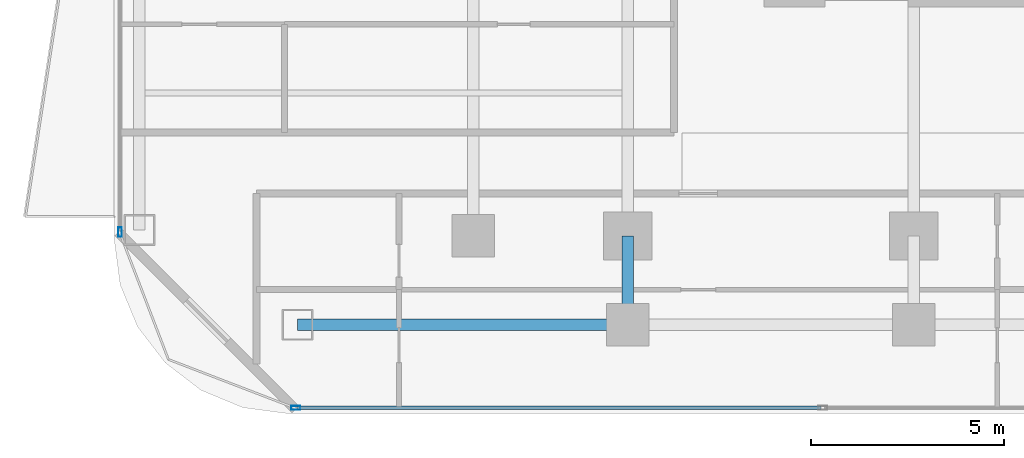
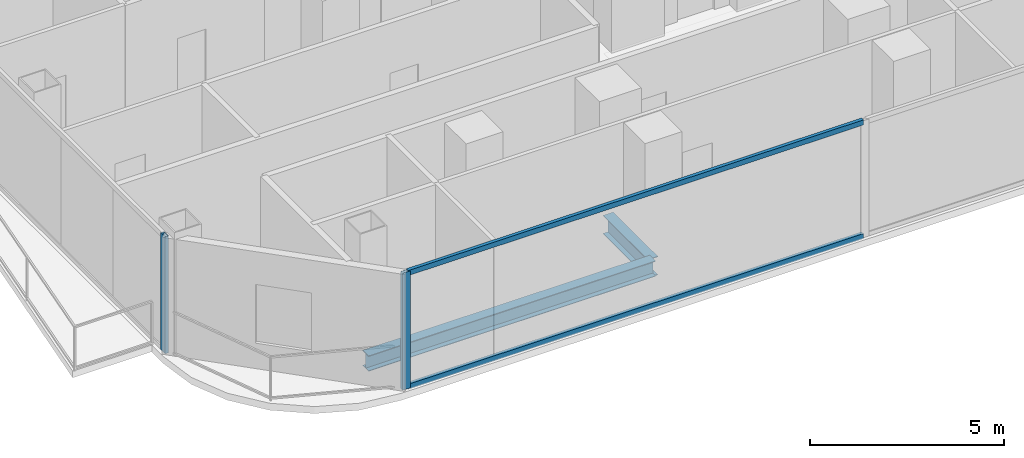
# One storey, part 2 of 27: 4 members, 2 beams, 2 elements without a shape of their own.
"""IFC4 building model written with IfcOpenShell, lengths in metres."""

from ifc_helpers import new_model, si_unit, direction, frame, origin, origin_2d, place, context, subcontext, project, spatial, hollow_rectangle, i_section, extrude, material, layer, layer_set, material_profile, profile_set, type_object, element, aggregate, save


model = new_model("IFC4")

# Units and contexts
model_context = context("Model", 3, precision=1e-05, world=origin(), true_north=direction((0.0, 1.0)))
body_context = subcontext(model_context, "Body", "Model", "MODEL_VIEW")
ifc_project = project(units=[si_unit("LENGTHUNIT", "METRE"), si_unit("AREAUNIT", "SQUARE_METRE"), si_unit("VOLUMEUNIT", "CUBIC_METRE"), si_unit("PLANEANGLEUNIT", "RADIAN"), si_unit("MASSUNIT", "GRAM", prefix="KILO")], contexts=[model_context])

# Site, building, storey
site_placement = place(None, origin())
site = spatial("IfcSite", under=ifc_project, at=site_placement, CompositionType="ELEMENT")
building_placement = place(site_placement, origin())
building = spatial("IfcBuilding", under=site, at=building_placement, Name="Khorvyn Point Tower", CompositionType="ELEMENT")
storey_placement = place(building_placement, frame((0.0, 0.0, 96.89990234375)))
storey = spatial("IfcBuildingStorey", under=building, at=storey_placement, Name="L24", CompositionType="ELEMENT", Elevation=96.89990234375)

# Curtain wall, member
ifc_material_1 = material(Name="Anodised aluminium 6063-T6 and laminated Low-E glass", Category="aluminium")
ifc_layer = layer(ifc_material_1, 0.18994140625)
ifc_layer_set = layer_set([ifc_layer], Name="Stick-Built Finned Residential Curtain Wall CW-SYS-02")
curtain_wall_type = type_object("IfcCurtainWallType", Name="Stick-Built Finned Residential Curtain Wall CW-SYS-02", PredefinedType="NOTDEFINED", material=ifc_layer_set)
curtain_wall_1_placement = place(storey_placement, origin())
curtain_wall_1 = element("IfcCurtainWall", 1, at=curtain_wall_1_placement, inside=storey, type_object=curtain_wall_type, Name="Curtain Wall", PredefinedType="NOTDEFINED")
ifc_material_2 = material(Name="Anodised aluminium 6063-T6", Category="aluminium")
ifc_material_profile_1 = material_profile(ifc_material_2, hollow_rectangle(XDim=0.10009765625, YDim=0.239990234375, WallThickness=0.0048828125, at=origin_2d()))
ifc_profile_set_1 = profile_set([ifc_material_profile_1], Name="Anodised aluminium 6063-T6 ALU-MUL-100x240")
member_type_1 = type_object("IfcMemberType", Name="Anodised Aluminium 6063-T6 Mullion ALU-MUL-100x240", PredefinedType="MULLION", material=ifc_profile_set_1)
member_1_placement = place(storey_placement, frame((-23.39990234375, -19.25, 0.0), z_axis=(0.0, 0.0, 1.0), x_axis=(0.0, -1.0, 0.0)))
member_1 = element("IfcMember", 2, at=member_1_placement, type_object=member_type_1, Name="Transom", PredefinedType="MULLION", context=body_context, shape_type="SweptSolid", body=[
    extrude(hollow_rectangle(XDim=0.10009765625, YDim=0.239990234375, WallThickness=0.0048828125, at=origin_2d()), origin(), (0.0, 0.0, 1.0), 3.68017578125),
])

curtain_wall_2_placement = place(storey_placement, origin())
curtain_wall_2 = element("IfcCurtainWall", 3, at=curtain_wall_2_placement, inside=storey, type_object=curtain_wall_type, Name="Curtain Wall", PredefinedType="NOTDEFINED")
member_2_placement = place(storey_placement, frame((-27.949951171875, -14.699951171875, 0.0), z_axis=(0.0, 0.0, 1.0), x_axis=(-1.0, 0.0, 0.0)))
member_2 = element("IfcMember", 4, at=member_2_placement, type_object=member_type_1, Name="Transom", PredefinedType="MULLION", context=body_context, shape_type="SweptSolid", body=[
    extrude(hollow_rectangle(XDim=0.10009765625, YDim=0.239990234375, WallThickness=0.0048828125, at=origin_2d()), origin(), (0.0, 0.0, 1.0), 3.68017578125),
])
aggregate(curtain_wall_2, [member_2])

# Member
ifc_material_profile_2 = material_profile(ifc_material_2, hollow_rectangle(XDim=0.10009765625, YDim=0.159912109375, WallThickness=0.00439453125, at=origin_2d()))
ifc_profile_set_2 = profile_set([ifc_material_profile_2], Name="Anodised aluminium 6063-T6 ALU-TRN-100x160")
member_type_2 = type_object("IfcMemberType", Name="Anodised Aluminium 6063-T6 Transom ALU-TRN-100x160", PredefinedType="USERDEFINED", material=ifc_profile_set_2)
member_3_placement = place(storey_placement, frame((-9.800048828125, -19.25, 0.050048828125), z_axis=(-1.0, 0.0, 0.0), x_axis=(0.0, -1.0, 0.0)))
member_3 = element("IfcMember", 5, at=member_3_placement, type_object=member_type_2, Name="Transom", ObjectType="TRANSOM", PredefinedType="USERDEFINED", context=body_context, shape_type="SweptSolid", body=[
    extrude(hollow_rectangle(XDim=0.10009765625, YDim=0.159912109375, WallThickness=0.00439453125, at=origin_2d()), origin(), (0.0, 0.0, 1.0), 13.550048828125),
])

member_4_placement = place(storey_placement, frame((-9.800048828125, -19.25, 3.630126953125), z_axis=(-1.0, 0.0, 0.0), x_axis=(0.0, -1.0, 0.0)))
member_4 = element("IfcMember", 6, at=member_4_placement, type_object=member_type_2, Name="Transom", ObjectType="TRANSOM", PredefinedType="USERDEFINED", context=body_context, shape_type="SweptSolid", body=[
    extrude(hollow_rectangle(XDim=0.10009765625, YDim=0.159912109375, WallThickness=0.00439453125, at=origin_2d()), origin(), (0.0, 0.0, 1.0), 13.550048828125),
])

aggregate(curtain_wall_1, [member_1, member_3, member_4])

# Beams
ifc_material_3 = material(Name="Steel S355", Category="steel")
ifc_material_profile_3 = material_profile(ifc_material_3, i_section(OverallWidth=0.300048828125, OverallDepth=0.587890625, WebThickness=0.011962890625, FlangeThickness=0.02001953125, at=origin_2d()))
ifc_profile_set_3 = profile_set([ifc_material_profile_3], Name="Steel S355 H588x300x12x20")
beam_type_1 = type_object("IfcBeamType", Name="Steel S355 Beam H588x300x12x20", PredefinedType="BEAM", material=ifc_profile_set_3)
beam_1_placement = place(storey_placement, frame((-14.800048828125, -17.10009765625, -0.513916015625), z_axis=(0.0, 1.0, 0.0), x_axis=(-1.0, 0.0, 0.0)))
element("IfcBeam", 7, at=beam_1_placement, inside=storey, type_object=beam_type_1, Name="Beam", PredefinedType="BEAM", context=body_context, shape_type="SweptSolid", body=[
    extrude(i_section(OverallWidth=0.300048828125, OverallDepth=0.587890625, WebThickness=0.011962890625, FlangeThickness=0.02001953125, at=origin_2d()), origin(), (0.0, 0.0, 1.0), 2.300048828125),
])
ifc_material_profile_4 = material_profile(ifc_material_3, i_section(OverallWidth=0.300048828125, OverallDepth=0.488037109375, WebThickness=0.010986328125, FlangeThickness=0.01806640625, at=origin_2d()))
ifc_profile_set_4 = profile_set([ifc_material_profile_4], Name="Steel S355 H488x300x11x18")
beam_type_2 = type_object("IfcBeamType", Name="Steel S355 Spandrel H488x300x11x18", PredefinedType="SPANDREL", material=ifc_profile_set_4)
beam_2_placement = place(storey_placement, frame((-23.35009765625, -17.10009765625, -0.4638671875), z_axis=(1.0, 0.0, 0.0), x_axis=(0.0, 1.0, 0.0)))
element("IfcBeam", 8, at=beam_2_placement, inside=storey, type_object=beam_type_2, Name="Beam", PredefinedType="SPANDREL", context=body_context, shape_type="SweptSolid", body=[
    extrude(i_section(OverallWidth=0.300048828125, OverallDepth=0.488037109375, WebThickness=0.010986328125, FlangeThickness=0.01806640625, at=origin_2d()), origin(), (0.0, 0.0, 1.0), 8.550048828125),
])

save(model, "model.ifc")
